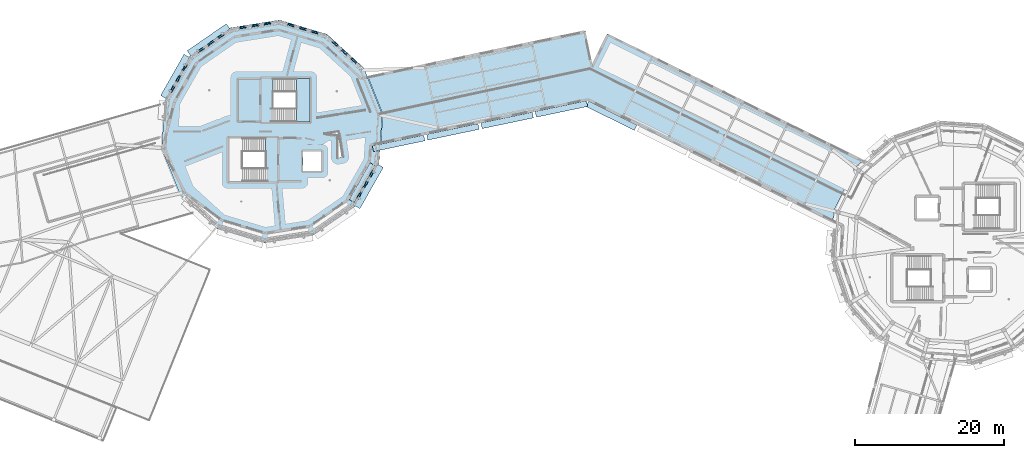
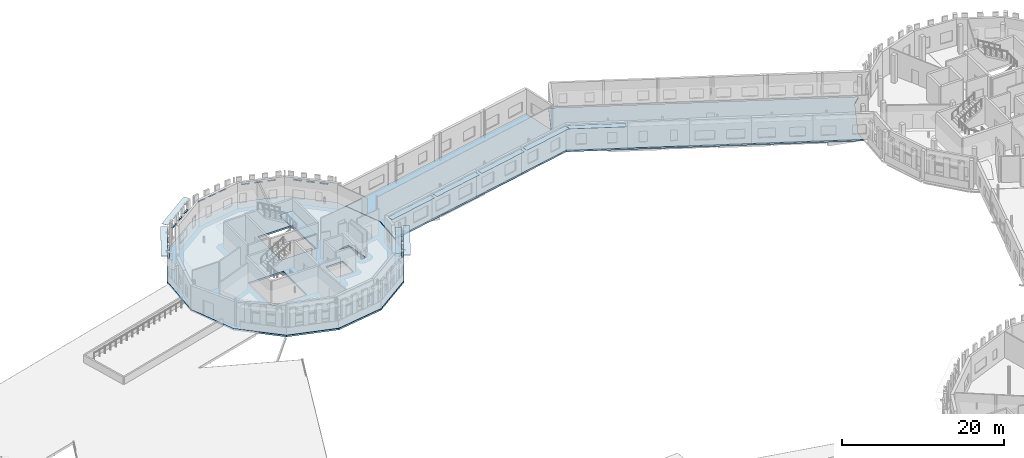
# One storey, part 34 of 90: 27 plates, 3 slabs, 1 element without a shape of its own.
"""IFC4 building model written with IfcOpenShell, lengths in metres."""

import ifcopenshell
import ifcopenshell.guid

model = None  # the IFC model being written
_history = None  # IfcOwnerHistory: only IFC2X3 demands one
_inside = {}  # id of a spatial element -> (the spatial element, [elements in it])
_under = {}  # id of a project, library or spatial element -> (it, [spatial elements below it])
_declared = {}  # id of a project -> (the project, [libraries it declares])
_typed = {}  # id of a type object -> (the type object, [elements of that type])
_made_of = {}  # id of a material, layer set ... -> (it, [elements and type objects made of it])


def new_model(schema):
    """Start an empty IFC model of exactly this schema.

    Asked for "IFC4X3", IfcOpenShell would pick the latest addendum, in which some entities
    have other attributes; the version numbers below select the first issue.
    IFC2X3 requires an IfcOwnerHistory on every rooted entity: one is made here for all.
    """
    global model, _history
    if schema == "IFC4X3":
        model = ifcopenshell.file(schema_version=(4, 3, 0, 0))
    else:
        model = ifcopenshell.file(schema=schema)
    _inside.clear()
    _under.clear()
    _declared.clear()
    _typed.clear()
    _made_of.clear()
    _history = None
    if model.schema == "IFC2X3":
        org = make("IfcOrganization", Name="unknown")
        user = make(
            "IfcPersonAndOrganization",
            ThePerson=make("IfcPerson", FamilyName="unknown"),
            TheOrganization=org,
        )
        app = make(
            "IfcApplication",
            ApplicationDeveloper=org,
            Version="unknown",
            ApplicationFullName="unknown",
            ApplicationIdentifier="unknown",
        )
        _history = make(
            "IfcOwnerHistory",
            OwningUser=user,
            OwningApplication=app,
            ChangeAction="ADDED",
            CreationDate=0,
        )
    return model


def make(cls, **values):
    """One entity of the class cls with the attributes given. An attribute that is None is left unset."""
    return model.create_entity(
        cls, **{name: value for name, value in values.items() if value is not None}
    )


def rooted(cls, **values):
    """An entity with a GlobalId (a new one), such as an element, a storey or a relation."""
    return make(cls, GlobalId=ifcopenshell.guid.new(), OwnerHistory=_history, **values)


def si_unit(unit_type, name, prefix=None):
    """IfcSIUnit, for example si_unit("LENGTHUNIT", "METRE", prefix="MILLI")."""
    return make("IfcSIUnit", UnitType=unit_type, Prefix=prefix, Name=name)


def assignment(units):
    """IfcUnitAssignment: the units of a project."""
    return None if units is None else make("IfcUnitAssignment", Units=units)


def point(xyz):
    """IfcCartesianPoint."""
    return None if xyz is None else make("IfcCartesianPoint", Coordinates=xyz)


def direction(xyz):
    """IfcDirection."""
    return None if xyz is None else make("IfcDirection", DirectionRatios=xyz)


def frame(location, z_axis=None, x_axis=None):
    """IfcAxis2Placement3D, a coordinate frame: its origin and axes. An axis left out is left unset."""
    return make(
        "IfcAxis2Placement3D",
        Location=point(location),
        Axis=direction(z_axis),
        RefDirection=direction(x_axis),
    )


def frame_2d(location, x_axis=None):
    """IfcAxis2Placement2D, a coordinate frame in the plane: its origin and x axis."""
    return make(
        "IfcAxis2Placement2D", Location=point(location), RefDirection=direction(x_axis)
    )


def origin():
    """The frame at (0, 0, 0) with its axes left unset."""
    return frame((0.0, 0.0, 0.0))


def origin_2d():
    """The frame at (0, 0) in the plane with its x axis left unset."""
    return frame_2d((0.0, 0.0))


def place(relative_to, where):
    """IfcLocalPlacement: puts the frame where relative to a parent placement (None: the world)."""
    return make(
        "IfcLocalPlacement", PlacementRelTo=relative_to, RelativePlacement=where
    )


def context(
    kind, dimensions, precision=None, world=None, true_north=None, identifier=None
):
    """IfcGeometricRepresentationContext, for example the 3D "Model" context."""
    return make(
        "IfcGeometricRepresentationContext",
        ContextIdentifier=identifier,
        ContextType=kind,
        CoordinateSpaceDimension=dimensions,
        Precision=precision,
        WorldCoordinateSystem=world,
        TrueNorth=true_north,
    )


def subcontext(parent, identifier, kind, view, scale=None):
    """IfcGeometricRepresentationSubContext, for example "Body" below "Model"."""
    return make(
        "IfcGeometricRepresentationSubContext",
        ContextIdentifier=identifier,
        ContextType=kind,
        ParentContext=parent,
        TargetScale=scale,
        TargetView=view,
    )


def project(units=None, contexts=None):
    """IfcProject with its units and contexts."""
    return rooted(
        "IfcProject",
        Name="project",
        RepresentationContexts=contexts,
        UnitsInContext=assignment(units),
    )


def spatial(cls, under=None, at=None, **own):
    """A site, building, storey or space (cls), placed at a placement, below another one or the project."""
    s = rooted(cls, ObjectPlacement=at, **own)
    if under is not None:
        _under.setdefault(under.id(), (under, []))[1].append(s)
    return s


def polyline(points):
    """IfcPolyline through the points."""
    return make("IfcPolyline", Points=[point(p) for p in points])


def profile(cls, at=None, kind="AREA", **sizes):
    """A parametric profile (cls). Its sizes go by their IFC names, for example OverallWidth=200.0."""
    return make(cls, ProfileType=kind, Position=at, **sizes)


def rectangle(**sizes):
    """IfcRectangleProfileDef."""
    return profile("IfcRectangleProfileDef", **sizes)


def outline(outer, holes=None, kind="AREA"):
    """IfcArbitraryClosedProfileDef: a profile drawn as a closed curve; with holes, ...WithVoids."""
    if holes is None:
        return make("IfcArbitraryClosedProfileDef", ProfileType=kind, OuterCurve=outer)
    return make(
        "IfcArbitraryProfileDefWithVoids",
        ProfileType=kind,
        OuterCurve=outer,
        InnerCurves=holes,
    )


def extrude(swept, where, along, depth):
    """IfcExtrudedAreaSolid: the profile swept, set in the frame where, extruded along a direction by depth."""
    return make(
        "IfcExtrudedAreaSolid",
        SweptArea=swept,
        Position=where,
        ExtrudedDirection=direction(along),
        Depth=depth,
    )


def shape(context_of_items, identifier, shape_type, items):
    """IfcShapeRepresentation: the items that make up one representation, for example the "Body"."""
    return make(
        "IfcShapeRepresentation",
        ContextOfItems=context_of_items,
        RepresentationIdentifier=identifier,
        RepresentationType=shape_type,
        Items=items,
    )


def material(Name=None, Category=None):
    """IfcMaterial."""
    return make("IfcMaterial", Name=Name, Category=Category)


def layer(
    of_material, thickness, ventilated=None, Name=None, Category=None, Priority=None
):
    """IfcMaterialLayer: one layer of a wall or slab, of a material (None: an air gap)."""
    return make(
        "IfcMaterialLayer",
        Material=of_material,
        LayerThickness=thickness,
        IsVentilated=ventilated,
        Name=Name,
        Category=Category,
        Priority=Priority,
    )


def layer_set(layers, Name=None):
    """IfcMaterialLayerSet."""
    return make("IfcMaterialLayerSet", MaterialLayers=layers, LayerSetName=Name)


def made_of(thing, what):
    """Note that an element or type object is made of a material, layer set ...; save() writes the relation."""
    if what is not None:
        _made_of.setdefault(what.id(), (what, []))[1].append(thing)
    return thing


def type_object(cls, material=None, **own):
    """A type object (cls), such as IfcWallType, which elements share."""
    return made_of(rooted(cls, **own), material)


def element(
    cls,
    number,
    at=None,
    inside=None,
    cuts=None,
    type_object=None,
    material=None,
    context=None,
    identifier="Body",
    shape_type=None,
    held_by="IfcProductDefinitionShape",
    body=None,
    shapes=None,
    **own,
):
    """One element of the class cls, such as IfcWall. Its Tag is "e" and its number.

    at: its placement. inside: the storey or other place that contains it. cuts: it is an
    opening in that element (IfcRelVoidsElement). A single representation is given by context,
    identifier, shape_type and body (its items); several are given by shapes. held_by: the class
    of the entity that holds the representations. save() writes the other relations.
    """
    e = rooted(cls, Tag="e%d" % number, ObjectPlacement=at, **own)
    if body is not None:
        shapes = [shape(context, identifier, shape_type, body)]
    if shapes is not None:
        e.Representation = make(held_by, Representations=shapes)
    if inside is not None:
        _inside.setdefault(inside.id(), (inside, []))[1].append(e)
    if cuts is not None:
        rooted(
            "IfcRelVoidsElement", RelatingBuildingElement=cuts, RelatedOpeningElement=e
        )
    if type_object is not None:
        _typed.setdefault(type_object.id(), (type_object, []))[1].append(e)
    return made_of(e, material)


def aggregate(whole, parts):
    """IfcRelAggregates: a whole, such as a stair, and the parts it consists of."""
    return rooted("IfcRelAggregates", RelatingObject=whole, RelatedObjects=parts)


def save(model, path):
    """Write the relations noted so far, then the file.

    IfcRelAggregates (storeys below a building ...), IfcRelContainedInSpatialStructure (elements
    in a storey), IfcRelDefinesByType, IfcRelAssociatesMaterial and IfcRelDeclares: one each for
    every whole, place, type object, material and project.
    """
    for whole, parts in _under.values():
        aggregate(whole, parts)
    for where, things in _inside.values():
        rooted(
            "IfcRelContainedInSpatialStructure",
            RelatedElements=things,
            RelatingStructure=where,
        )
    for kind, things in _typed.values():
        rooted("IfcRelDefinesByType", RelatedObjects=things, RelatingType=kind)
    for what, things in _made_of.values():
        rooted("IfcRelAssociatesMaterial", RelatedObjects=things, RelatingMaterial=what)
    for by, libraries in _declared.values():
        rooted("IfcRelDeclares", RelatingContext=by, RelatedDefinitions=libraries)
    model.write(path)


model = new_model("IFC4")

# Units and contexts
model_context = context("Model", 3, precision=1e-05, world=origin(), true_north=direction((0.0, 1.0)))
body_context = subcontext(model_context, "Body", "Model", "MODEL_VIEW")
ifc_project = project(units=[si_unit("LENGTHUNIT", "METRE"), si_unit("AREAUNIT", "SQUARE_METRE"), si_unit("VOLUMEUNIT", "CUBIC_METRE"), si_unit("PLANEANGLEUNIT", "RADIAN"), si_unit("MASSUNIT", "GRAM", prefix="KILO")], contexts=[model_context])

# Site, building, storey
site_placement = place(None, origin())
site = spatial("IfcSite", under=ifc_project, at=site_placement, CompositionType="ELEMENT")
building_placement = place(site_placement, origin())
building = spatial("IfcBuilding", under=site, at=building_placement, Name="Wrenclough Park School", CompositionType="ELEMENT")
storey_placement = place(building_placement, frame((0.0, 0.0, 8.39990234375)))
storey = spatial("IfcBuildingStorey", under=building, at=storey_placement, Name="L02", CompositionType="ELEMENT", Elevation=8.39990234375)

# Plates
ifc_material_1 = material(Name="Anodised architectural aluminium solar shading fin plate", Category="aluminium")
ifc_layer_1 = layer(ifc_material_1, 0.0380859375)
ifc_layer_set_1 = layer_set([ifc_layer_1], Name="Anodised architectural aluminium solar shading fin plate")
plate_type = type_object("IfcPlateType", Name="ENV-PL-BSF", PredefinedType="SHEET", material=ifc_layer_set_1)
plate_1_placement = place(storey_placement, frame((93.976806640625, 118.035400390625, 2.72216796875), z_axis=(0.0, 0.0, 1.0), x_axis=(-0.738122161547, 0.674667084296, 0.0)))
element("IfcPlate", 1, at=plate_1_placement, inside=storey, type_object=plate_type, Name="D4 L02 open-bond brick screen tie band 0403", PredefinedType="SHEET", context=body_context, shape_type="SweptSolid", body=[
    extrude(rectangle(XDim=1.01806640625, YDim=0.219970703125, at=origin_2d()), origin(), (0.0, 0.0, 1.0), 0.0419921875),
])
plate_2_placement = place(storey_placement, frame((92.744873046875, 119.161376953125, 2.72216796875), z_axis=(0.0, 0.0, 1.0), x_axis=(-0.738122161547, 0.674667084296, 0.0)))
element("IfcPlate", 2, at=plate_2_placement, inside=storey, type_object=plate_type, Name="D4 L02 open-bond brick screen tie band 0404", PredefinedType="SHEET", context=body_context, shape_type="SweptSolid", body=[
    extrude(rectangle(XDim=1.017822265625, YDim=0.219970703125, at=origin_2d()), origin(), (0.0, 0.0, 1.0), 0.0419921875),
])
plate_3_placement = place(storey_placement, frame((91.512939453125, 120.287353515625, 2.72216796875), z_axis=(0.0, 0.0, 1.0), x_axis=(-0.738122161547, 0.674667084296, 0.0)))
element("IfcPlate", 3, at=plate_3_placement, inside=storey, type_object=plate_type, Name="D4 L02 open-bond brick screen tie band 0405", PredefinedType="SHEET", context=body_context, shape_type="SweptSolid", body=[
    extrude(rectangle(XDim=1.01806640625, YDim=0.219970703125, at=origin_2d()), origin(), (0.0, 0.0, 1.0), 0.0419921875),
])
for number, where, z_axis, x_axis, name in (
    (4, (88.75244140625, 121.853759765625, 2.72216796875), (0.0, 0.0, 1.0), (-0.957751215921, 0.287597997911, 0.0), "D4 L02 open-bond brick screen tie band 0406"),
    (5, (87.154052734375, 122.333740234375, 2.72216796875), (0.0, 0.0, 1.0), (-0.957751215921, 0.287597997911, 0.0), "D4 L02 open-bond brick screen tie band 0407"),
    (6, (85.5556640625, 122.813720703125, 2.72216796875), (0.0, 0.0, 1.0), (-0.957751215921, 0.287597997911, 0.0), "D4 L02 open-bond brick screen tie band 0408"),
    (7, (82.388916015625, 123.027099609375, 2.72216796875), (0.0, 0.0, 1.0), (-0.98768815471, -0.156435638666, 0.0), "D4 L02 open-bond brick screen tie band 0409"),
    (8, (80.740478515625, 122.76611328125, 2.72216796875), (0.0, 0.0, 1.0), (-0.98768815471, -0.156435638666, 0.0), "D4 L02 open-bond brick screen tie band 0410"),
    (9, (79.09228515625, 122.5048828125, 2.72216796875), (0.0, 0.0, 1.0), (-0.98768815471, -0.156435638666, 0.0), "D4 L02 open-bond brick screen tie band 0411"),
):
    element("IfcPlate", number, at=place(storey_placement, frame(where, z_axis=z_axis, x_axis=x_axis)), inside=storey, type_object=plate_type, Name=name, PredefinedType="SHEET", context=body_context, shape_type="SweptSolid", body=[
        extrude(rectangle(XDim=1.017822265625, YDim=0.219970703125, at=origin_2d()), origin(), (0.0, 0.0, 1.0), 0.0419921875),
    ])
plate_4_placement = place(storey_placement, frame((76.146240234375, 121.3232421875, 2.72216796875), z_axis=(0.0, 0.0, 1.0), x_axis=(-0.8220077158, -0.569476351718, 0.0)))
element("IfcPlate", 10, at=plate_4_placement, inside=storey, type_object=plate_type, Name="D4 L02 open-bond brick screen tie band 0412", PredefinedType="SHEET", context=body_context, shape_type="SweptSolid", body=[
    extrude(rectangle(XDim=1.01806640625, YDim=0.219970703125, at=origin_2d()), origin(), (0.0, 0.0, 1.0), 0.0419921875),
])
plate_5_placement = place(storey_placement, frame((74.7744140625, 120.372802734375, 2.72216796875), z_axis=(0.0, 0.0, 1.0), x_axis=(-0.8220077158, -0.569476351718, 0.0)))
element("IfcPlate", 11, at=plate_5_placement, inside=storey, type_object=plate_type, Name="D4 L02 open-bond brick screen tie band 0413", PredefinedType="SHEET", context=body_context, shape_type="SweptSolid", body=[
    extrude(rectangle(XDim=1.017822265625, YDim=0.219970703125, at=origin_2d()), origin(), (0.0, 0.0, 1.0), 0.0419921875),
])
plate_6_placement = place(storey_placement, frame((73.402587890625, 119.422607421875, 2.72216796875), z_axis=(0.0, 0.0, 1.0), x_axis=(-0.8220077158, -0.569476351718, 0.0)))
element("IfcPlate", 12, at=plate_6_placement, inside=storey, type_object=plate_type, Name="D4 L02 open-bond brick screen tie band 0414", PredefinedType="SHEET", context=body_context, shape_type="SweptSolid", body=[
    extrude(rectangle(XDim=1.01806640625, YDim=0.219970703125, at=origin_2d()), origin(), (0.0, 0.0, 1.0), 0.0419921875),
])
plate_7_placement = place(storey_placement, frame((74.479736328125, 120.79833984375, 3.701171875), z_axis=(0.0, 0.0, 1.0), x_axis=(-0.8220077158, -0.569476351718, 0.0)))
element("IfcPlate", 13, at=plate_7_placement, inside=storey, type_object=plate_type, Name="D4 L02 sun-side projecting brise-soleil blade 0064", PredefinedType="SHEET", context=body_context, shape_type="SweptSolid", body=[
    extrude(rectangle(XDim=6.37548828125, YDim=0.85009765625, at=origin_2d()), origin(), (0.0, 0.0, 1.0), 0.0380859375),
])
plate_8_placement = place(storey_placement, frame((71.26123046875, 117.079833984375, 2.72216796875), z_axis=(0.0, 0.0, 1.0), x_axis=(-0.493508752009, -0.869740830185, 0.0)))
element("IfcPlate", 14, at=plate_8_placement, inside=storey, type_object=plate_type, Name="D4 L02 open-bond brick screen tie band 0415", PredefinedType="SHEET", context=body_context, shape_type="SweptSolid", body=[
    extrude(rectangle(XDim=1.017822265625, YDim=0.219970703125, at=origin_2d()), origin(), (0.0, 0.0, 1.0), 0.0419921875),
])
plate_9_placement = place(storey_placement, frame((70.4375, 115.62841796875, 2.72216796875), z_axis=(0.0, 0.0, 1.0), x_axis=(-0.493508752009, -0.869740830185, 0.0)))
element("IfcPlate", 15, at=plate_9_placement, inside=storey, type_object=plate_type, Name="D4 L02 open-bond brick screen tie band 0416", PredefinedType="SHEET", context=body_context, shape_type="SweptSolid", body=[
    extrude(rectangle(XDim=1.01806640625, YDim=0.219970703125, at=origin_2d()), origin(), (0.0, 0.0, 1.0), 0.0419921875),
])
plate_10_placement = place(storey_placement, frame((69.614013671875, 114.1767578125, 2.72216796875), z_axis=(0.0, 0.0, 1.0), x_axis=(-0.493508752009, -0.869740830185, 0.0)))
element("IfcPlate", 16, at=plate_10_placement, inside=storey, type_object=plate_type, Name="D4 L02 open-bond brick screen tie band 0417", PredefinedType="SHEET", context=body_context, shape_type="SweptSolid", body=[
    extrude(rectangle(XDim=1.017822265625, YDim=0.219970703125, at=origin_2d()), origin(), (0.0, 0.0, 1.0), 0.0419921875),
])
plate_11_placement = place(storey_placement, frame((69.987548828125, 115.883544921875, 3.701171875), z_axis=(0.0, 0.0, 1.0), x_axis=(-0.493508752009, -0.869740830185, 0.0)))
element("IfcPlate", 17, at=plate_11_placement, inside=storey, type_object=plate_type, Name="D4 L02 sun-side projecting brise-soleil blade 0065", PredefinedType="SHEET", context=body_context, shape_type="SweptSolid", body=[
    extrude(rectangle(XDim=6.375732421875, YDim=0.85009765625, at=origin_2d()), origin(), (0.0, 0.0, 1.0), 0.0380859375),
])
plate_12_placement = place(storey_placement, frame((94.73876953125, 99.920166015625, 2.72216796875), z_axis=(0.0, 0.0, 1.0), x_axis=(0.493508752009, 0.869740830185, 0.0)))
element("IfcPlate", 18, at=plate_12_placement, inside=storey, type_object=plate_type, Name="D4 L02 open-bond brick screen tie band 0430", PredefinedType="SHEET", context=body_context, shape_type="SweptSolid", body=[
    extrude(rectangle(XDim=1.017822265625, YDim=0.219970703125, at=origin_2d()), origin(), (0.0, 0.0, 1.0), 0.0419921875),
])
plate_13_placement = place(storey_placement, frame((95.5625, 101.37158203125, 2.72216796875), z_axis=(0.0, 0.0, 1.0), x_axis=(0.493508752009, 0.869740830185, 0.0)))
element("IfcPlate", 19, at=plate_13_placement, inside=storey, type_object=plate_type, Name="D4 L02 open-bond brick screen tie band 0431", PredefinedType="SHEET", context=body_context, shape_type="SweptSolid", body=[
    extrude(rectangle(XDim=1.01806640625, YDim=0.219970703125, at=origin_2d()), origin(), (0.0, 0.0, 1.0), 0.0419921875),
])
plate_14_placement = place(storey_placement, frame((96.385986328125, 102.8232421875, 2.72216796875), z_axis=(0.0, 0.0, 1.0), x_axis=(0.493508752009, 0.869740830185, 0.0)))
element("IfcPlate", 20, at=plate_14_placement, inside=storey, type_object=plate_type, Name="D4 L02 open-bond brick screen tie band 0432", PredefinedType="SHEET", context=body_context, shape_type="SweptSolid", body=[
    extrude(rectangle(XDim=1.017822265625, YDim=0.219970703125, at=origin_2d()), origin(), (0.0, 0.0, 1.0), 0.0419921875),
])
plate_15_placement = place(storey_placement, frame((96.012451171875, 101.116455078125, 3.701171875), z_axis=(0.0, 0.0, 1.0), x_axis=(0.493508752009, 0.869740830185, 0.0)))
element("IfcPlate", 21, at=plate_15_placement, inside=storey, type_object=plate_type, Name="D4 L02 sun-side projecting brise-soleil blade 0071", PredefinedType="SHEET", context=body_context, shape_type="SweptSolid", body=[
    extrude(rectangle(XDim=6.375732421875, YDim=0.85009765625, at=origin_2d()), origin(), (0.0, 0.0, 1.0), 0.0380859375),
])
plate_16_placement = place(storey_placement, frame((128.580078125, 110.6083984375, 3.720947265625), z_axis=(0.0, 0.0, 1.0), x_axis=(-0.89626516888, 0.443518598316, 0.0)))
element("IfcPlate", 22, at=plate_16_placement, inside=storey, type_object=plate_type, Name="L02 link wing sun-side brise-soleil blade 0177", PredefinedType="SHEET", context=body_context, shape_type="SweptSolid", body=[
    extrude(rectangle(XDim=7.23974609375, YDim=0.800048828125, at=origin_2d()), origin(), (0.0, 0.0, 1.0), 0.0380859375),
])
for number, where, z_axis, x_axis, name in (
    (23, (121.86328125, 111.52587890625, 3.720947265625), (0.0, 0.0, 1.0), (-0.97878931036, -0.204869436288, 0.0), "L02 link wing sun-side brise-soleil blade 0178"),
    (24, (114.575927734375, 109.98779296875, 3.720947265625), (0.0, 0.0, 1.0), (-0.978792566191, -0.204853880532, 0.0), "L02 link wing sun-side brise-soleil blade 0179"),
    (25, (107.288818359375, 108.449951171875, 3.720947265625), (0.0, 0.0, 1.0), (-0.97878931036, -0.204869436288, 0.0), "L02 link wing sun-side brise-soleil blade 0180"),
    (26, (100.002197265625, 106.909423828125, 3.720947265625), (0.0, 0.0, 1.0), (-0.97878931036, -0.204869436288, 0.0), "L02 link wing sun-side brise-soleil blade 0181"),
):
    element("IfcPlate", number, at=place(storey_placement, frame(where, z_axis=z_axis, x_axis=x_axis)), inside=storey, type_object=plate_type, Name=name, PredefinedType="SHEET", context=body_context, shape_type="SweptSolid", body=[
        extrude(rectangle(XDim=7.047607421875, YDim=0.800048828125, at=origin_2d()), origin(), (0.0, 0.0, 1.0), 0.0380859375),
    ])
plate_17_placement = place(storey_placement, frame((95.103759765625, 101.632080078125, 3.720947265625), z_axis=(0.0, 0.0, 1.0), x_axis=(-0.493504096724, -0.869743471672, 0.0)))
element("IfcPlate", 27, at=plate_17_placement, inside=storey, type_object=plate_type, Name="L02 link wing sun-side brise-soleil blade 0182", PredefinedType="SHEET", context=body_context, shape_type="SweptSolid", body=[
    extrude(rectangle(XDim=5.68701171875, YDim=0.800048828125, at=origin_2d()), origin(), (0.0, 0.0, 1.0), 0.0380859375),
])

# Stair, slab
ifc_material_2 = material(Name="Precast concrete C40/50", Category="concrete")
stair_type = type_object("IfcStairType", Name="INT-ST-180-42", PredefinedType="HALF_TURN_STAIR", material=ifc_material_2)
stair_placement = place(storey_placement, origin())
stair = element("IfcStair", 28, at=stair_placement, inside=storey, type_object=stair_type, Name="L02 escape stair ST-08", PredefinedType="HALF_TURN_STAIR")
ifc_layer_2 = layer(ifc_material_2, 0.195068359375)
ifc_layer_set_2 = layer_set([ifc_layer_2], Name="Precast concrete C40/50")
slab_type_1 = type_object("IfcSlabType", Name="INT-SL-LAND195", PredefinedType="LANDING", material=ifc_layer_set_2)
slab_1_placement = place(storey_placement, frame((0.0, 0.0, 1.989013671875)))
slab_1 = element("IfcSlab", 29, at=slab_1_placement, type_object=slab_type_1, Name="ST-08 landing 1", PredefinedType="LANDING", context=body_context, shape_type="SweptSolid", body=[
    extrude(outline(polyline([(86.277099609375, 109.800048828125), (88.10009765625, 109.800048828125), (88.10009765625, 115.60009765625), (86.277099609375, 115.60009765625), (86.277099609375, 109.800048828125)])), origin(), (0.0, 0.0, 1.0), 0.195068359375),
])
aggregate(stair, [slab_1])

# Slabs
ifc_material_3 = material(Name="Concrete C32/40", Category="concrete")
ifc_layer_3 = layer(ifc_material_3, 0.25)
ifc_layer_set_3 = layer_set([ifc_layer_3], Name="Concrete C32/40")
slab_type_2 = type_object("IfcSlabType", Name="STR-SL-FL250", PredefinedType="FLOOR", material=ifc_layer_set_3)
slab_2_placement = place(storey_placement, frame((0.0, 0.0, -0.25)))
element("IfcSlab", 30, at=slab_2_placement, inside=storey, type_object=slab_type_2, Name="D4 L02 structural slab SLAB-D4-L02", PredefinedType="FLOOR", context=body_context, shape_type="SweptSolid", body=[
    extrude(outline(polyline([(97.815185546875, 110.846435546875), (95.330078125, 117.042236328125), (90.402587890625, 121.546142578125), (84.009033203125, 123.466064453125), (77.41552734375, 122.421630859375), (71.92822265625, 118.6201171875), (68.6337890625, 112.81396484375), (68.184814453125, 106.153564453125), (70.669921875, 99.957763671875), (75.597412109375, 95.453857421875), (81.990966796875, 93.533935546875), (88.58447265625, 94.578369140625), (94.07177734375, 98.3798828125), (97.3662109375, 104.18603515625), (97.815185546875, 110.846435546875)]), holes=[polyline([(91.9130859375, 108.445068359375), (90.35009765625, 108.197509765625), (91.85009765625, 108.050048828125), (91.85009765625, 104.99267578125), (92.445068359375, 105.0869140625), (91.9130859375, 108.445068359375)]), polyline([(77.199951171875, 101.800048828125), (82.152099609375, 101.800048828125), (82.152099609375, 107.60009765625), (77.199951171875, 107.60009765625), (77.199951171875, 101.800048828125)]), polyline([(87.199951171875, 103.199951171875), (89.60009765625, 103.199951171875), (89.60009765625, 105.800048828125), (87.199951171875, 105.800048828125), (87.199951171875, 103.199951171875)]), polyline([(83.14794921875, 109.800048828125), (88.10009765625, 109.800048828125), (88.10009765625, 115.60009765625), (83.14794921875, 115.60009765625), (83.14794921875, 109.800048828125)])]), origin(), (0.0, 0.0, 1.0), 0.25),
])
slab_3_placement = place(storey_placement, frame((0.0, 0.0, -0.25)))
element("IfcSlab", 31, at=slab_3_placement, inside=storey, type_object=slab_type_2, Name="W45 L02 structural slab SLAB-W45-L02", PredefinedType="FLOOR", context=body_context, shape_type="SweptSolid", body=[
    extrude(outline(polyline([(125.385498046875, 112.671630859375), (158.322265625, 96.373291015625), (158.418701171875, 97.81396484375), (161.285400390625, 103.62744140625), (162.4072265625, 104.616455078125), (128.040283203125, 121.622802734375), (126.0, 117.5), (125.0576171875, 122.00244140625), (95.8466796875, 115.888427734375), (97.8642578125, 110.8564453125), (97.596435546875, 106.855224609375), (125.385498046875, 112.671630859375)])), origin(), (0.0, 0.0, 1.0), 0.25),
])

save(model, "model.ifc")
